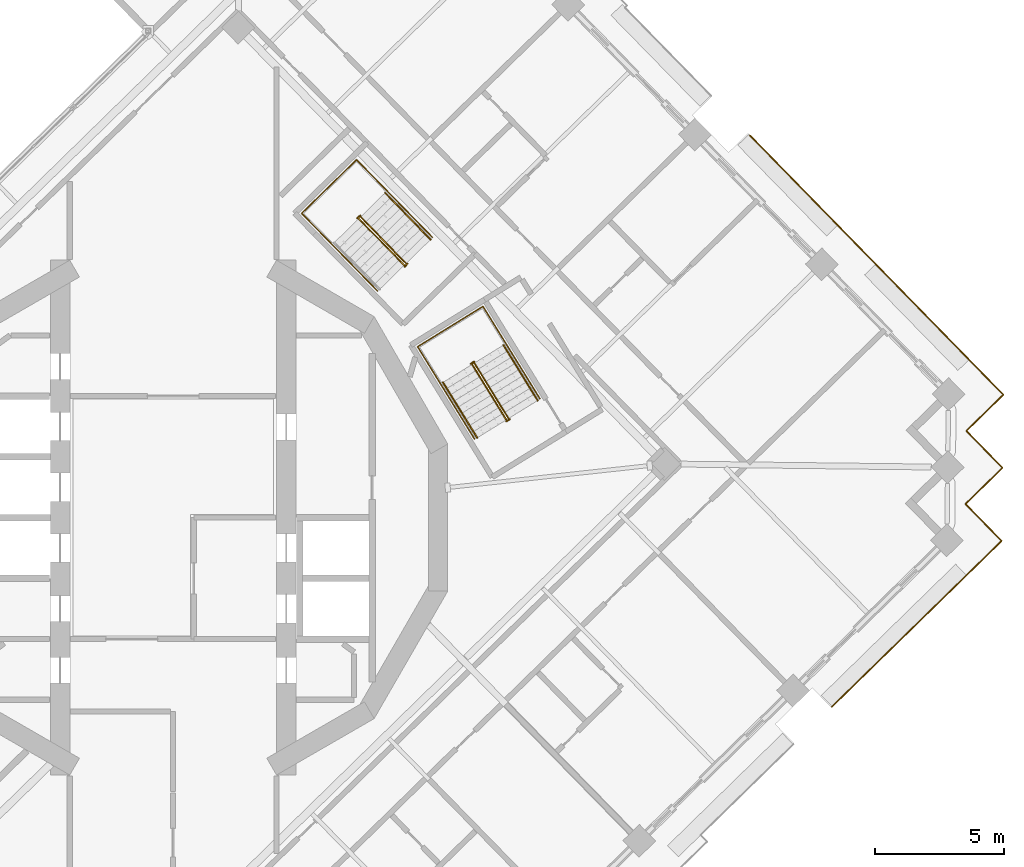
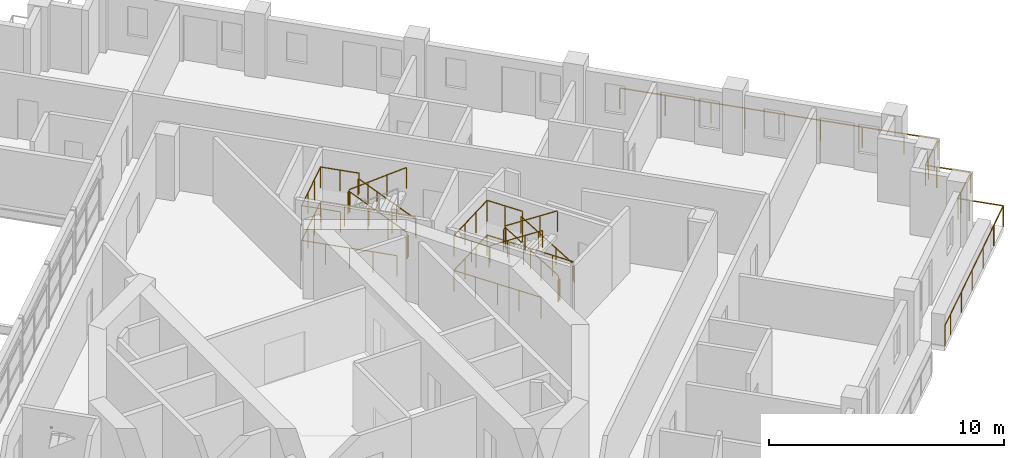
# One storey, part 17 of 19: 14 railings.
"""IFC4 building model written with IfcOpenShell, lengths in metres."""

import ifcopenshell
import ifcopenshell.guid

model = None  # the IFC model being written
_history = None  # IfcOwnerHistory: only IFC2X3 demands one
_inside = {}  # id of a spatial element -> (the spatial element, [elements in it])
_under = {}  # id of a project, library or spatial element -> (it, [spatial elements below it])
_declared = {}  # id of a project -> (the project, [libraries it declares])
_typed = {}  # id of a type object -> (the type object, [elements of that type])
_made_of = {}  # id of a material, layer set ... -> (it, [elements and type objects made of it])


def new_model(schema):
    """Start an empty IFC model of exactly this schema.

    Asked for "IFC4X3", IfcOpenShell would pick the latest addendum, in which some entities
    have other attributes; the version numbers below select the first issue.
    IFC2X3 requires an IfcOwnerHistory on every rooted entity: one is made here for all.
    """
    global model, _history
    if schema == "IFC4X3":
        model = ifcopenshell.file(schema_version=(4, 3, 0, 0))
    else:
        model = ifcopenshell.file(schema=schema)
    _inside.clear()
    _under.clear()
    _declared.clear()
    _typed.clear()
    _made_of.clear()
    _history = None
    if model.schema == "IFC2X3":
        org = make("IfcOrganization", Name="unknown")
        user = make(
            "IfcPersonAndOrganization",
            ThePerson=make("IfcPerson", FamilyName="unknown"),
            TheOrganization=org,
        )
        app = make(
            "IfcApplication",
            ApplicationDeveloper=org,
            Version="unknown",
            ApplicationFullName="unknown",
            ApplicationIdentifier="unknown",
        )
        _history = make(
            "IfcOwnerHistory",
            OwningUser=user,
            OwningApplication=app,
            ChangeAction="ADDED",
            CreationDate=0,
        )
    return model


def make(cls, **values):
    """One entity of the class cls with the attributes given. An attribute that is None is left unset."""
    return model.create_entity(
        cls, **{name: value for name, value in values.items() if value is not None}
    )


def rooted(cls, **values):
    """An entity with a GlobalId (a new one), such as an element, a storey or a relation."""
    return make(cls, GlobalId=ifcopenshell.guid.new(), OwnerHistory=_history, **values)


def si_unit(unit_type, name, prefix=None):
    """IfcSIUnit, for example si_unit("LENGTHUNIT", "METRE", prefix="MILLI")."""
    return make("IfcSIUnit", UnitType=unit_type, Prefix=prefix, Name=name)


def assignment(units):
    """IfcUnitAssignment: the units of a project."""
    return None if units is None else make("IfcUnitAssignment", Units=units)


def point(xyz):
    """IfcCartesianPoint."""
    return None if xyz is None else make("IfcCartesianPoint", Coordinates=xyz)


def direction(xyz):
    """IfcDirection."""
    return None if xyz is None else make("IfcDirection", DirectionRatios=xyz)


def frame(location, z_axis=None, x_axis=None):
    """IfcAxis2Placement3D, a coordinate frame: its origin and axes. An axis left out is left unset."""
    return make(
        "IfcAxis2Placement3D",
        Location=point(location),
        Axis=direction(z_axis),
        RefDirection=direction(x_axis),
    )


def frame_2d(location, x_axis=None):
    """IfcAxis2Placement2D, a coordinate frame in the plane: its origin and x axis."""
    return make(
        "IfcAxis2Placement2D", Location=point(location), RefDirection=direction(x_axis)
    )


def origin():
    """The frame at (0, 0, 0) with its axes left unset."""
    return frame((0.0, 0.0, 0.0))


def origin_2d():
    """The frame at (0, 0) in the plane with its x axis left unset."""
    return frame_2d((0.0, 0.0))


def place(relative_to, where):
    """IfcLocalPlacement: puts the frame where relative to a parent placement (None: the world)."""
    return make(
        "IfcLocalPlacement", PlacementRelTo=relative_to, RelativePlacement=where
    )


def context(
    kind, dimensions, precision=None, world=None, true_north=None, identifier=None
):
    """IfcGeometricRepresentationContext, for example the 3D "Model" context."""
    return make(
        "IfcGeometricRepresentationContext",
        ContextIdentifier=identifier,
        ContextType=kind,
        CoordinateSpaceDimension=dimensions,
        Precision=precision,
        WorldCoordinateSystem=world,
        TrueNorth=true_north,
    )


def subcontext(parent, identifier, kind, view, scale=None):
    """IfcGeometricRepresentationSubContext, for example "Body" below "Model"."""
    return make(
        "IfcGeometricRepresentationSubContext",
        ContextIdentifier=identifier,
        ContextType=kind,
        ParentContext=parent,
        TargetScale=scale,
        TargetView=view,
    )


def project(units=None, contexts=None):
    """IfcProject with its units and contexts."""
    return rooted(
        "IfcProject",
        Name="project",
        RepresentationContexts=contexts,
        UnitsInContext=assignment(units),
    )


def spatial(cls, under=None, at=None, **own):
    """A site, building, storey or space (cls), placed at a placement, below another one or the project."""
    s = rooted(cls, ObjectPlacement=at, **own)
    if under is not None:
        _under.setdefault(under.id(), (under, []))[1].append(s)
    return s


def profile(cls, at=None, kind="AREA", **sizes):
    """A parametric profile (cls). Its sizes go by their IFC names, for example OverallWidth=200.0."""
    return make(cls, ProfileType=kind, Position=at, **sizes)


def circle(**sizes):
    """IfcCircleProfileDef."""
    return profile("IfcCircleProfileDef", **sizes)


def extrude(swept, where, along, depth):
    """IfcExtrudedAreaSolid: the profile swept, set in the frame where, extruded along a direction by depth."""
    return make(
        "IfcExtrudedAreaSolid",
        SweptArea=swept,
        Position=where,
        ExtrudedDirection=direction(along),
        Depth=depth,
    )


def shape(context_of_items, identifier, shape_type, items):
    """IfcShapeRepresentation: the items that make up one representation, for example the "Body"."""
    return make(
        "IfcShapeRepresentation",
        ContextOfItems=context_of_items,
        RepresentationIdentifier=identifier,
        RepresentationType=shape_type,
        Items=items,
    )


def material(Name=None, Category=None):
    """IfcMaterial."""
    return make("IfcMaterial", Name=Name, Category=Category)


def made_of(thing, what):
    """Note that an element or type object is made of a material, layer set ...; save() writes the relation."""
    if what is not None:
        _made_of.setdefault(what.id(), (what, []))[1].append(thing)
    return thing


def type_object(cls, material=None, **own):
    """A type object (cls), such as IfcWallType, which elements share."""
    return made_of(rooted(cls, **own), material)


def element(
    cls,
    number,
    at=None,
    inside=None,
    cuts=None,
    type_object=None,
    material=None,
    context=None,
    identifier="Body",
    shape_type=None,
    held_by="IfcProductDefinitionShape",
    body=None,
    shapes=None,
    **own,
):
    """One element of the class cls, such as IfcWall. Its Tag is "e" and its number.

    at: its placement. inside: the storey or other place that contains it. cuts: it is an
    opening in that element (IfcRelVoidsElement). A single representation is given by context,
    identifier, shape_type and body (its items); several are given by shapes. held_by: the class
    of the entity that holds the representations. save() writes the other relations.
    """
    e = rooted(cls, Tag="e%d" % number, ObjectPlacement=at, **own)
    if body is not None:
        shapes = [shape(context, identifier, shape_type, body)]
    if shapes is not None:
        e.Representation = make(held_by, Representations=shapes)
    if inside is not None:
        _inside.setdefault(inside.id(), (inside, []))[1].append(e)
    if cuts is not None:
        rooted(
            "IfcRelVoidsElement", RelatingBuildingElement=cuts, RelatedOpeningElement=e
        )
    if type_object is not None:
        _typed.setdefault(type_object.id(), (type_object, []))[1].append(e)
    return made_of(e, material)


def aggregate(whole, parts):
    """IfcRelAggregates: a whole, such as a stair, and the parts it consists of."""
    return rooted("IfcRelAggregates", RelatingObject=whole, RelatedObjects=parts)


def save(model, path):
    """Write the relations noted so far, then the file.

    IfcRelAggregates (storeys below a building ...), IfcRelContainedInSpatialStructure (elements
    in a storey), IfcRelDefinesByType, IfcRelAssociatesMaterial and IfcRelDeclares: one each for
    every whole, place, type object, material and project.
    """
    for whole, parts in _under.values():
        aggregate(whole, parts)
    for where, things in _inside.values():
        rooted(
            "IfcRelContainedInSpatialStructure",
            RelatedElements=things,
            RelatingStructure=where,
        )
    for kind, things in _typed.values():
        rooted("IfcRelDefinesByType", RelatedObjects=things, RelatingType=kind)
    for what, things in _made_of.values():
        rooted("IfcRelAssociatesMaterial", RelatedObjects=things, RelatingMaterial=what)
    for by, libraries in _declared.values():
        rooted("IfcRelDeclares", RelatingContext=by, RelatedDefinitions=libraries)
    model.write(path)


model = new_model("IFC4")

# Units and contexts
model_context = context("Model", 3, precision=1e-05, world=origin(), true_north=direction((0.0, 1.0)))
body_context = subcontext(model_context, "Body", "Model", "MODEL_VIEW")
ifc_project = project(units=[si_unit("LENGTHUNIT", "METRE"), si_unit("AREAUNIT", "SQUARE_METRE"), si_unit("VOLUMEUNIT", "CUBIC_METRE"), si_unit("PLANEANGLEUNIT", "RADIAN"), si_unit("MASSUNIT", "GRAM", prefix="KILO")], contexts=[model_context])

# Site, building, storey
site_placement = place(None, origin())
site = spatial("IfcSite", under=ifc_project, at=site_placement, CompositionType="ELEMENT")
building_placement = place(site_placement, origin())
building = spatial("IfcBuilding", under=site, at=building_placement, Name="Cantera Rosa Tower", CompositionType="ELEMENT")
storey_placement = place(building_placement, frame((0.0, 0.0, 223.39990234375)))
storey = spatial("IfcBuildingStorey", under=building, at=storey_placement, Name="L48", CompositionType="ELEMENT", Elevation=223.39990234375)

# Railings
ifc_material_1 = material(Name="Stainless steel and laminated glass", Category="steel")
railing_type_1 = type_object("IfcRailingType", Name="GUARD 1100", PredefinedType="BALUSTRADE", material=ifc_material_1)
railing_1_placement = place(storey_placement, frame((22.313232421875, 14.795654296875, 0.0)))
element("IfcRailing", 1, at=railing_1_placement, inside=storey, type_object=railing_type_1, Name="GUARD L48-9", PredefinedType="BALUSTRADE", context=body_context, shape_type="SweptSolid", body=[
    extrude(circle(Radius=0.030029296875, at=origin_2d()), frame((0.0, 0.0, 1.070068359375), z_axis=(0.698829866575, -0.715287926351, 0.0), x_axis=(0.715287926351, 0.698829866575, 0.0)), (0.0, 0.0, 1.0), 4.02001953125),
    extrude(circle(Radius=0.030029296875, at=origin_2d()), frame((2.809326171875, -2.87548828125, 1.070068359375), z_axis=(0.698839281014, -0.715278728407, 0.0), x_axis=(0.715278728407, 0.698839281014, 0.0)), (0.0, 0.0, 1.0), 3.0),
    extrude(circle(Radius=0.030029296875, at=origin_2d()), frame((4.90576171875, -5.021240234375, 1.070068359375), z_axis=(0.698810055914, -0.715307280652, 0.0), x_axis=(0.715307280652, 0.698810055914, 0.0)), (0.0, 0.0, 1.0), 5.52001953125),
    extrude(circle(Radius=0.030029296875, at=origin_2d()), frame((8.76318359375, -8.9697265625, 1.070068359375), z_axis=(0.698921594874, -0.71519829713, 0.0), x_axis=(0.71519829713, 0.698921594874, 0.0)), (0.0, 0.0, 1.0), 1.5),
    extrude(circle(Radius=0.030029296875, at=origin_2d()), frame((9.8115234375, -10.04248046875, 1.070068359375), z_axis=(-0.715277793538, -0.698840237873, 0.0), x_axis=(0.698840237873, -0.715277793538, 0.0)), (0.0, 0.0, 1.0), 1.5),
    extrude(circle(Radius=0.030029296875, at=origin_2d()), frame((8.738525390625, -11.0908203125, 1.070068359375), z_axis=(-0.715359149995, -0.698756958118, 0.0), x_axis=(0.698756958118, -0.715359149995, 0.0)), (0.0, 0.0, 1.0), 0.5),
    extrude(circle(Radius=0.030029296875, at=origin_2d()), frame((8.380859375, -11.440185546875, 1.070068359375), z_axis=(0.699006712162, -0.715115107065, 0.0), x_axis=(0.715115107065, 0.699006712162, 0.0)), (0.0, 0.0, 1.0), 0.500244140625),
    extrude(circle(Radius=0.030029296875, at=origin_2d()), frame((8.73046875, -11.7978515625, 1.070068359375), z_axis=(0.698756958118, -0.715359149995, 0.0), x_axis=(0.715359149995, 0.698756958118, 0.0)), (0.0, 0.0, 1.0), 1.5),
    extrude(circle(Radius=0.030029296875, at=origin_2d()), frame((9.778564453125, -12.870849609375, 1.070068359375), z_axis=(-0.71519829713, -0.698921594874, 0.0), x_axis=(0.698921594874, -0.71519829713, 0.0)), (0.0, 0.0, 1.0), 1.5),
    extrude(circle(Radius=0.030029296875, at=origin_2d()), frame((8.705810546875, -13.919189453125, 1.070068359375), z_axis=(-0.715359149995, -0.698756958118, 0.0), x_axis=(0.698756958118, -0.715359149995, 0.0)), (0.0, 0.0, 1.0), 0.5),
    extrude(circle(Radius=0.030029296875, at=origin_2d()), frame((8.34814453125, -14.2685546875, 1.070068359375), z_axis=(0.698756958118, -0.715359149995, 0.0), x_axis=(0.715359149995, 0.698756958118, 0.0)), (0.0, 0.0, 1.0), 0.5),
    extrude(circle(Radius=0.030029296875, at=origin_2d()), frame((8.697509765625, -14.626220703125, 1.070068359375), z_axis=(0.698838323933, -0.71527966349, 0.0), x_axis=(0.71527966349, 0.698838323933, 0.0)), (0.0, 0.0, 1.0), 1.499755859375),
    extrude(circle(Radius=0.030029296875, at=origin_2d()), frame((9.74560546875, -15.698974609375, 1.070068359375), z_axis=(-0.71519829713, -0.698921594874, 0.0), x_axis=(0.698921594874, -0.71519829713, 0.0)), (0.0, 0.0, 1.0), 1.5),
    extrude(circle(Radius=0.030029296875, at=origin_2d()), frame((8.6728515625, -16.747314453125, 1.070068359375), z_axis=(-0.715292116391, -0.698825577829, 0.0), x_axis=(0.698825577829, -0.715292116391, 0.0)), (0.0, 0.0, 1.0), 6.820068359375),
    extrude(circle(Radius=0.030029296875, at=origin_2d()), frame((3.79443359375, -21.513427734375, 1.070068359375), z_axis=(-0.715337030636, -0.698779602308, 0.0), x_axis=(0.698779602308, -0.715337030636, 0.0)), (0.0, 0.0, 1.0), 0.869873046875),
    extrude(circle(Radius=0.02490234375, at=origin_2d()), origin(), (0.0, 0.0, 1.0), 1.0400390625),
    extrude(circle(Radius=0.02490234375, at=origin_2d()), frame((1.40478515625, -1.437744140625, 0.0)), (0.0, 0.0, 1.0), 1.0400390625),
    extrude(circle(Radius=0.02490234375, at=origin_2d()), frame((2.809326171875, -2.87548828125, 0.0)), (0.0, 0.0, 1.0), 1.0400390625),
    extrude(circle(Radius=0.02490234375, at=origin_2d()), frame((3.857421875, -3.9482421875, 0.0)), (0.0, 0.0, 1.0), 1.0400390625),
    extrude(circle(Radius=0.02490234375, at=origin_2d()), frame((4.90576171875, -5.021240234375, 0.0)), (0.0, 0.0, 1.0), 1.0400390625),
    extrude(circle(Radius=0.02490234375, at=origin_2d()), frame((6.191650390625, -6.33740234375, 0.0)), (0.0, 0.0, 1.0), 1.0400390625),
    extrude(circle(Radius=0.02490234375, at=origin_2d()), frame((7.477294921875, -7.653564453125, 0.0)), (0.0, 0.0, 1.0), 1.0400390625),
    extrude(circle(Radius=0.02490234375, at=origin_2d()), frame((8.76318359375, -8.9697265625, 0.0)), (0.0, 0.0, 1.0), 1.0400390625),
    extrude(circle(Radius=0.02490234375, at=origin_2d()), frame((9.8115234375, -10.04248046875, 0.0)), (0.0, 0.0, 1.0), 1.0400390625),
    extrude(circle(Radius=0.02490234375, at=origin_2d()), frame((8.738525390625, -11.0908203125, 0.0)), (0.0, 0.0, 1.0), 1.0400390625),
    extrude(circle(Radius=0.02490234375, at=origin_2d()), frame((8.380859375, -11.440185546875, 0.0)), (0.0, 0.0, 1.0), 1.0400390625),
    extrude(circle(Radius=0.02490234375, at=origin_2d()), frame((8.73046875, -11.7978515625, 0.0)), (0.0, 0.0, 1.0), 1.0400390625),
    extrude(circle(Radius=0.02490234375, at=origin_2d()), frame((9.778564453125, -12.870849609375, 0.0)), (0.0, 0.0, 1.0), 1.0400390625),
    extrude(circle(Radius=0.02490234375, at=origin_2d()), frame((8.705810546875, -13.919189453125, 0.0)), (0.0, 0.0, 1.0), 1.0400390625),
    extrude(circle(Radius=0.02490234375, at=origin_2d()), frame((8.34814453125, -14.2685546875, 0.0)), (0.0, 0.0, 1.0), 1.0400390625),
    extrude(circle(Radius=0.02490234375, at=origin_2d()), frame((8.697509765625, -14.626220703125, 0.0)), (0.0, 0.0, 1.0), 1.0400390625),
    extrude(circle(Radius=0.02490234375, at=origin_2d()), frame((9.74560546875, -15.698974609375, 0.0)), (0.0, 0.0, 1.0), 1.0400390625),
    extrude(circle(Radius=0.02490234375, at=origin_2d()), frame((8.6728515625, -16.747314453125, 0.0)), (0.0, 0.0, 1.0), 1.0400390625),
    extrude(circle(Radius=0.02490234375, at=origin_2d()), frame((7.453125, -17.93896484375, 0.0)), (0.0, 0.0, 1.0), 1.0400390625),
    extrude(circle(Radius=0.02490234375, at=origin_2d()), frame((6.233642578125, -19.13037109375, 0.0)), (0.0, 0.0, 1.0), 1.0400390625),
    extrude(circle(Radius=0.02490234375, at=origin_2d()), frame((5.01416015625, -20.32177734375, 0.0)), (0.0, 0.0, 1.0), 1.0400390625),
    extrude(circle(Radius=0.02490234375, at=origin_2d()), frame((3.79443359375, -21.513427734375, 0.0)), (0.0, 0.0, 1.0), 1.0400390625),
    extrude(circle(Radius=0.02490234375, at=origin_2d()), frame((3.172119140625, -22.121337890625, 0.0)), (0.0, 0.0, 1.0), 1.0400390625),
])
ifc_material_2 = material(Name="Steel S355J2 (EN 10025-2)", Category="steel")
railing_type_2 = type_object("IfcRailingType", Name="STAIR GUARD 1100", PredefinedType="GUARDRAIL", material=ifc_material_2)
railing_2_placement = place(storey_placement, frame((12.9765625, 3.834228515625, 0.18017578125)))
element("IfcRailing", 2, at=railing_2_placement, inside=storey, type_object=railing_type_2, Name="L48 ST-41 stair guard 1", PredefinedType="GUARDRAIL", context=body_context, shape_type="SweptSolid", body=[
    extrude(circle(Radius=0.02392578125, at=origin_2d()), frame((0.0, 0.0, 1.076171875), z_axis=(-0.441562923896, 0.715970890813, 0.540747508315), x_axis=(-0.851145618652, -0.524929648476, 0.0)), (0.0, 0.0, 1.0), 2.99560546875),
    extrude(circle(Radius=0.02392578125, at=origin_2d()), frame((-1.32275390625, 2.144775390625, 2.69580078125), z_axis=(-0.073711968402, 0.997279572494, 0.0), x_axis=(-0.997279572494, -0.073711968402, 0.0)), (0.0, 0.0, 1.0), 0.056396484375),
    extrude(circle(Radius=0.02392578125, at=origin_2d()), frame((-1.326904296875, 2.200927734375, 2.69580078125), z_axis=(-0.851546489876, -0.524279100842, 0.0), x_axis=(0.524279100842, -0.851546489876, 0.0)), (0.0, 0.0, 1.0), 0.14990234375),
    extrude(circle(Radius=0.02099609375, at=origin_2d()), origin(), (0.0, 0.0, 1.0), 1.052001953125),
    extrude(circle(Radius=0.02099609375, at=origin_2d()), frame((-0.44091796875, 0.71484375, 0.5400390625)), (0.0, 0.0, 1.0), 1.052001953125),
    extrude(circle(Radius=0.02099609375, at=origin_2d()), frame((-0.8818359375, 1.429931640625, 1.079833984375)), (0.0, 0.0, 1.0), 1.052001953125),
    extrude(circle(Radius=0.02099609375, at=origin_2d()), frame((-1.32275390625, 2.144775390625, 1.619873046875)), (0.0, 0.0, 1.0), 1.052001953125),
    extrude(circle(Radius=0.02099609375, at=origin_2d()), frame((-1.326904296875, 2.200927734375, 1.619873046875)), (0.0, 0.0, 1.0), 1.052001953125),
    extrude(circle(Radius=0.02099609375, at=origin_2d()), frame((-1.45458984375, 2.122314453125, 1.619873046875)), (0.0, 0.0, 1.0), 1.052001953125),
])
railing_3_placement = place(storey_placement, frame((11.5703125, 5.927490234375, 1.97998046875)))
element("IfcRailing", 3, at=railing_3_placement, inside=storey, type_object=railing_type_2, Name="L48 ST-41 stair guard 2", PredefinedType="GUARDRAIL", context=body_context, shape_type="SweptSolid", body=[
    extrude(circle(Radius=0.02392578125, at=origin_2d()), frame((0.0, 0.0, 1.076171875), z_axis=(0.441609067481, -0.715913574058, 0.540785711718), x_axis=(0.851102330005, 0.524999832248, 0.0)), (0.0, 0.0, 1.0), 2.995849609375),
    extrude(circle(Radius=0.02099609375, at=origin_2d()), origin(), (0.0, 0.0, 1.0), 1.052001953125),
    extrude(circle(Radius=0.02099609375, at=origin_2d()), frame((0.44091796875, -0.71484375, 0.5400390625)), (0.0, 0.0, 1.0), 1.052001953125),
    extrude(circle(Radius=0.02099609375, at=origin_2d()), frame((0.882080078125, -1.429931640625, 1.080078125)), (0.0, 0.0, 1.0), 1.052001953125),
    extrude(circle(Radius=0.02099609375, at=origin_2d()), frame((1.322998046875, -2.144775390625, 1.6201171875)), (0.0, 0.0, 1.0), 1.052001953125),
])
railing_4_placement = place(storey_placement, frame((13.025146484375, 3.80517578125, 0.0)))
element("IfcRailing", 4, at=railing_4_placement, inside=storey, type_object=railing_type_2, Name="L48 ST-41 stair guard 3", PredefinedType="GUARDRAIL", context=body_context, shape_type="SweptSolid", body=[
    extrude(circle(Radius=0.02392578125, at=origin_2d()), frame((0.0, 0.0, 1.076171875), z_axis=(-0.851546489876, -0.524279100842, 0.0), x_axis=(0.524279100842, -0.851546489876, 0.0)), (0.0, 0.0, 1.0), 0.14990234375),
    extrude(circle(Radius=0.02099609375, at=origin_2d()), origin(), (0.0, 0.0, 1.0), 1.052001953125),
    extrude(circle(Radius=0.02099609375, at=origin_2d()), frame((-0.127685546875, -0.07861328125, 0.0)), (0.0, 0.0, 1.0), 1.052001953125),
])
railing_5_placement = place(storey_placement, frame((14.192626953125, 4.59814453125, 0.0)))
element("IfcRailing", 5, at=railing_5_placement, inside=storey, type_object=railing_type_2, Name="L48 ST-41 stair guard 4", PredefinedType="GUARDRAIL", context=body_context, shape_type="SweptSolid", body=[
    extrude(circle(Radius=0.02392578125, at=origin_2d()), frame((0.0, 0.0, 1.076171875), z_axis=(-0.524976478809, 0.851116735059, 0.0), x_axis=(-0.851116735059, -0.524976478809, 0.0)), (0.0, 0.0, 1.0), 4.197998046875),
    extrude(circle(Radius=0.02392578125, at=origin_2d()), frame((-2.203857421875, 3.572998046875, 1.076171875), z_axis=(-0.851132917336, -0.524950242429, 0.0), x_axis=(0.524950242429, -0.851132917336, 0.0)), (0.0, 0.0, 1.0), 2.969970703125),
    extrude(circle(Radius=0.02392578125, at=origin_2d()), frame((-4.731689453125, 2.013916015625, 1.076171875), z_axis=(0.524976478809, -0.851116735059, 0.0), x_axis=(0.851116735059, 0.524976478809, 0.0)), (0.0, 0.0, 1.0), 4.197998046875),
    extrude(circle(Radius=0.02099609375, at=origin_2d()), origin(), (0.0, 0.0, 1.0), 1.052001953125),
    extrude(circle(Radius=0.02099609375, at=origin_2d()), frame((-0.551025390625, 0.893310546875, 0.0)), (0.0, 0.0, 1.0), 1.052001953125),
    extrude(circle(Radius=0.02099609375, at=origin_2d()), frame((-1.10205078125, 1.78662109375, 0.0)), (0.0, 0.0, 1.0), 1.052001953125),
    extrude(circle(Radius=0.02099609375, at=origin_2d()), frame((-1.65283203125, 2.6796875, 0.0)), (0.0, 0.0, 1.0), 1.052001953125),
    extrude(circle(Radius=0.02099609375, at=origin_2d()), frame((-2.203857421875, 3.572998046875, 0.0)), (0.0, 0.0, 1.0), 1.052001953125),
    extrude(circle(Radius=0.02099609375, at=origin_2d()), frame((-3.04638671875, 3.05322265625, 0.0)), (0.0, 0.0, 1.0), 1.052001953125),
    extrude(circle(Radius=0.02099609375, at=origin_2d()), frame((-3.88916015625, 2.53369140625, 0.0)), (0.0, 0.0, 1.0), 1.052001953125),
    extrude(circle(Radius=0.02099609375, at=origin_2d()), frame((-4.731689453125, 2.013916015625, 0.0)), (0.0, 0.0, 1.0), 1.052001953125),
    extrude(circle(Radius=0.02099609375, at=origin_2d()), frame((-4.1806640625, 1.12060546875, 0.0)), (0.0, 0.0, 1.0), 1.052001953125),
    extrude(circle(Radius=0.02099609375, at=origin_2d()), frame((-3.6298828125, 0.2275390625, 0.0)), (0.0, 0.0, 1.0), 1.052001953125),
    extrude(circle(Radius=0.02099609375, at=origin_2d()), frame((-3.078857421875, -0.665771484375, 0.0)), (0.0, 0.0, 1.0), 1.052001953125),
    extrude(circle(Radius=0.02099609375, at=origin_2d()), frame((-2.52783203125, -1.55908203125, 0.0)), (0.0, 0.0, 1.0), 1.052001953125),
])
railing_6_placement = place(storey_placement, frame((12.88232421875, 6.72265625, 1.800048828125)))
element("IfcRailing", 6, at=railing_6_placement, inside=storey, type_object=railing_type_2, Name="L48 ST-41 stair guard 5", PredefinedType="GUARDRAIL", context=body_context, shape_type="SweptSolid", body=[
    extrude(circle(Radius=0.02392578125, at=origin_2d()), frame((0.0, 0.0, 1.076171875), z_axis=(-0.525025534833, 0.851086474909, 0.0), x_axis=(-0.851086474909, -0.525025534833, 0.0)), (0.0, 0.0, 1.0), 1.701904296875),
    extrude(circle(Radius=0.02392578125, at=origin_2d()), frame((-0.8935546875, 1.448486328125, 1.076171875), z_axis=(-0.851132917336, -0.524950242429, 0.0), x_axis=(0.524950242429, -0.851132917336, 0.0)), (0.0, 0.0, 1.0), 2.969970703125),
    extrude(circle(Radius=0.02392578125, at=origin_2d()), frame((-3.42138671875, -0.110595703125, 1.076171875), z_axis=(0.524961441845, -0.851126009811, 0.0), x_axis=(0.851126009811, 0.524961441845, 0.0)), (0.0, 0.0, 1.0), 1.7021484375),
    extrude(circle(Radius=0.02099609375, at=origin_2d()), origin(), (0.0, 0.0, 1.0), 1.052001953125),
    extrude(circle(Radius=0.02099609375, at=origin_2d()), frame((-0.44677734375, 0.72412109375, 0.0)), (0.0, 0.0, 1.0), 1.052001953125),
    extrude(circle(Radius=0.02099609375, at=origin_2d()), frame((-0.8935546875, 1.448486328125, 0.0)), (0.0, 0.0, 1.0), 1.052001953125),
    extrude(circle(Radius=0.02099609375, at=origin_2d()), frame((-1.736083984375, 0.9287109375, 0.0)), (0.0, 0.0, 1.0), 1.052001953125),
    extrude(circle(Radius=0.02099609375, at=origin_2d()), frame((-2.578857421875, 0.4091796875, 0.0)), (0.0, 0.0, 1.0), 1.052001953125),
    extrude(circle(Radius=0.02099609375, at=origin_2d()), frame((-3.42138671875, -0.110595703125, 0.0)), (0.0, 0.0, 1.0), 1.052001953125),
    extrude(circle(Radius=0.02099609375, at=origin_2d()), frame((-2.974609375, -0.8349609375, 0.0)), (0.0, 0.0, 1.0), 1.052001953125),
    extrude(circle(Radius=0.02099609375, at=origin_2d()), frame((-2.52783203125, -1.559326171875, 0.0)), (0.0, 0.0, 1.0), 1.052001953125),
])
railing_7_placement = place(storey_placement, frame((9.013427734375, 9.832763671875, 0.18017578125)))
element("IfcRailing", 7, at=railing_7_placement, inside=storey, type_object=railing_type_2, Name="L48 ST-42 stair guard 1", PredefinedType="GUARDRAIL", context=body_context, shape_type="SweptSolid", body=[
    extrude(circle(Radius=0.02392578125, at=origin_2d()), frame((0.0, 0.0, 1.076171875), z_axis=(-0.587844099419, 0.60169873645, 0.540738333515), x_axis=(-0.715293958342, -0.698823692472, 0.0)), (0.0, 0.0, 1.0), 2.99560546875),
    extrude(circle(Radius=0.02392578125, at=origin_2d()), frame((-1.760986328125, 1.802490234375, 2.69580078125), z_axis=(-0.290127576896, 0.956987977523, 0.0), x_axis=(-0.956987977523, -0.290127576896, 0.0)), (0.0, 0.0, 1.0), 0.056396484375),
    extrude(circle(Radius=0.02392578125, at=origin_2d()), frame((-1.77734375, 1.8564453125, 2.69580078125), z_axis=(-0.71600013962, -0.69810013613, 0.0), x_axis=(0.69810013613, -0.71600013962, 0.0)), (0.0, 0.0, 1.0), 0.150146484375),
    extrude(circle(Radius=0.02099609375, at=origin_2d()), origin(), (0.0, 0.0, 1.0), 1.052001953125),
    extrude(circle(Radius=0.02099609375, at=origin_2d()), frame((-0.5869140625, 0.600830078125, 0.5400390625)), (0.0, 0.0, 1.0), 1.052001953125),
    extrude(circle(Radius=0.02099609375, at=origin_2d()), frame((-1.174072265625, 1.20166015625, 1.079833984375)), (0.0, 0.0, 1.0), 1.052001953125),
    extrude(circle(Radius=0.02099609375, at=origin_2d()), frame((-1.760986328125, 1.802490234375, 1.619873046875)), (0.0, 0.0, 1.0), 1.052001953125),
    extrude(circle(Radius=0.02099609375, at=origin_2d()), frame((-1.77734375, 1.8564453125, 1.619873046875)), (0.0, 0.0, 1.0), 1.052001953125),
    extrude(circle(Radius=0.02099609375, at=origin_2d()), frame((-1.884765625, 1.751708984375, 1.619873046875)), (0.0, 0.0, 1.0), 1.052001953125),
])
railing_8_placement = place(storey_placement, frame((7.182373046875, 11.56689453125, 1.97998046875)))
element("IfcRailing", 8, at=railing_8_placement, inside=storey, type_object=railing_type_2, Name="L48 ST-42 stair guard 2", PredefinedType="GUARDRAIL", context=body_context, shape_type="SweptSolid", body=[
    extrude(circle(Radius=0.02392578125, at=origin_2d()), frame((0.0, 0.0, 1.076171875), z_axis=(0.587818193466, -0.601672219931, 0.54079599776), x_axis=(0.715293958342, 0.698823692472, 0.0)), (0.0, 0.0, 1.0), 2.995849609375),
    extrude(circle(Radius=0.02099609375, at=origin_2d()), origin(), (0.0, 0.0, 1.0), 1.052001953125),
    extrude(circle(Radius=0.02099609375, at=origin_2d()), frame((0.5869140625, -0.600830078125, 0.5400390625)), (0.0, 0.0, 1.0), 1.052001953125),
    extrude(circle(Radius=0.02099609375, at=origin_2d()), frame((1.174072265625, -1.20166015625, 1.080078125)), (0.0, 0.0, 1.0), 1.052001953125),
    extrude(circle(Radius=0.02099609375, at=origin_2d()), frame((1.760986328125, -1.802490234375, 1.6201171875)), (0.0, 0.0, 1.0), 1.052001953125),
])
railing_9_placement = place(storey_placement, frame((9.06689453125, 9.815185546875, 0.0)))
element("IfcRailing", 9, at=railing_9_placement, inside=storey, type_object=railing_type_2, Name="L48 ST-42 stair guard 3", PredefinedType="GUARDRAIL", context=body_context, shape_type="SweptSolid", body=[
    extrude(circle(Radius=0.02392578125, at=origin_2d()), frame((0.0, 0.0, 1.076171875), z_axis=(-0.715205710557, -0.698914008722, 0.0), x_axis=(0.698914008722, -0.715205710557, 0.0)), (0.0, 0.0, 1.0), 0.14990234375),
    extrude(circle(Radius=0.02099609375, at=origin_2d()), origin(), (0.0, 0.0, 1.0), 1.052001953125),
    extrude(circle(Radius=0.02099609375, at=origin_2d()), frame((-0.107177734375, -0.104736328125, 0.0)), (0.0, 0.0, 1.0), 1.052001953125),
])
railing_10_placement = place(storey_placement, frame((10.0322265625, 10.844970703125, 0.0)))
element("IfcRailing", 10, at=railing_10_placement, inside=storey, type_object=railing_type_2, Name="L48 ST-42 stair guard 4", PredefinedType="GUARDRAIL", context=body_context, shape_type="SweptSolid", body=[
    extrude(circle(Radius=0.02392578125, at=origin_2d()), frame((0.0, 0.0, 1.076171875), z_axis=(-0.698859254364, 0.715259213566, 0.0), x_axis=(-0.715259213566, -0.698859254364, 0.0)), (0.0, 0.0, 1.0), 4.197998046875),
    extrude(circle(Radius=0.02392578125, at=origin_2d()), frame((-2.933837890625, 3.002685546875, 1.076171875), z_axis=(-0.715279654138, -0.698838333505, 0.0), x_axis=(0.698838333505, -0.715279654138, 0.0)), (0.0, 0.0, 1.0), 2.9697265625),
    extrude(circle(Radius=0.02392578125, at=origin_2d()), frame((-5.05810546875, 0.92724609375, 1.076171875), z_axis=(0.698829500247, -0.715288284249, 0.0), x_axis=(0.715288284249, 0.698829500247, 0.0)), (0.0, 0.0, 1.0), 4.19775390625),
    extrude(circle(Radius=0.02099609375, at=origin_2d()), origin(), (0.0, 0.0, 1.0), 1.052001953125),
    extrude(circle(Radius=0.02099609375, at=origin_2d()), frame((-0.7333984375, 0.750732421875, 0.0)), (0.0, 0.0, 1.0), 1.052001953125),
    extrude(circle(Radius=0.02099609375, at=origin_2d()), frame((-1.466796875, 1.50146484375, 0.0)), (0.0, 0.0, 1.0), 1.052001953125),
    extrude(circle(Radius=0.02099609375, at=origin_2d()), frame((-2.200439453125, 2.251953125, 0.0)), (0.0, 0.0, 1.0), 1.052001953125),
    extrude(circle(Radius=0.02099609375, at=origin_2d()), frame((-2.933837890625, 3.002685546875, 0.0)), (0.0, 0.0, 1.0), 1.052001953125),
    extrude(circle(Radius=0.02099609375, at=origin_2d()), frame((-3.641845703125, 2.310791015625, 0.0)), (0.0, 0.0, 1.0), 1.052001953125),
    extrude(circle(Radius=0.02099609375, at=origin_2d()), frame((-4.35009765625, 1.619140625, 0.0)), (0.0, 0.0, 1.0), 1.052001953125),
    extrude(circle(Radius=0.02099609375, at=origin_2d()), frame((-5.05810546875, 0.92724609375, 0.0)), (0.0, 0.0, 1.0), 1.052001953125),
    extrude(circle(Radius=0.02099609375, at=origin_2d()), frame((-4.32470703125, 0.176513671875, 0.0)), (0.0, 0.0, 1.0), 1.052001953125),
    extrude(circle(Radius=0.02099609375, at=origin_2d()), frame((-3.59130859375, -0.57421875, 0.0)), (0.0, 0.0, 1.0), 1.052001953125),
    extrude(circle(Radius=0.02099609375, at=origin_2d()), frame((-2.85791015625, -1.32470703125, 0.0)), (0.0, 0.0, 1.0), 1.052001953125),
    extrude(circle(Radius=0.02099609375, at=origin_2d()), frame((-2.12451171875, -2.075439453125, 0.0)), (0.0, 0.0, 1.0), 1.052001953125),
])
railing_11_placement = place(storey_placement, frame((8.287841796875, 12.63037109375, 1.800048828125)))
element("IfcRailing", 11, at=railing_11_placement, inside=storey, type_object=railing_type_2, Name="L48 ST-42 stair guard 5", PredefinedType="GUARDRAIL", context=body_context, shape_type="SweptSolid", body=[
    extrude(circle(Radius=0.02392578125, at=origin_2d()), frame((0.0, 0.0, 1.076171875), z_axis=(-0.698882919007, 0.715236090757, 0.0), x_axis=(-0.715236090757, -0.698882919007, 0.0)), (0.0, 0.0, 1.0), 1.701904296875),
    extrude(circle(Radius=0.02392578125, at=origin_2d()), frame((-1.189453125, 1.21728515625, 1.076171875), z_axis=(-0.715279654138, -0.698838333505, 0.0), x_axis=(0.698838333505, -0.715279654138, 0.0)), (0.0, 0.0, 1.0), 2.9697265625),
    extrude(circle(Radius=0.02392578125, at=origin_2d()), frame((-3.313720703125, -0.858154296875, 1.076171875), z_axis=(0.698811217595, -0.715306145761, 0.0), x_axis=(0.715306145761, 0.698811217595, 0.0)), (0.0, 0.0, 1.0), 1.7021484375),
    extrude(circle(Radius=0.02099609375, at=origin_2d()), origin(), (0.0, 0.0, 1.0), 1.052001953125),
    extrude(circle(Radius=0.02099609375, at=origin_2d()), frame((-0.5947265625, 0.608642578125, 0.0)), (0.0, 0.0, 1.0), 1.052001953125),
    extrude(circle(Radius=0.02099609375, at=origin_2d()), frame((-1.189453125, 1.21728515625, 0.0)), (0.0, 0.0, 1.0), 1.052001953125),
    extrude(circle(Radius=0.02099609375, at=origin_2d()), frame((-1.8974609375, 0.525390625, 0.0)), (0.0, 0.0, 1.0), 1.052001953125),
    extrude(circle(Radius=0.02099609375, at=origin_2d()), frame((-2.605712890625, -0.166259765625, 0.0)), (0.0, 0.0, 1.0), 1.052001953125),
    extrude(circle(Radius=0.02099609375, at=origin_2d()), frame((-3.313720703125, -0.858154296875, 0.0)), (0.0, 0.0, 1.0), 1.052001953125),
    extrude(circle(Radius=0.02099609375, at=origin_2d()), frame((-2.718994140625, -1.466796875, 0.0)), (0.0, 0.0, 1.0), 1.052001953125),
    extrude(circle(Radius=0.02099609375, at=origin_2d()), frame((-2.124267578125, -2.07568359375, 0.0)), (0.0, 0.0, 1.0), 1.052001953125),
])
ifc_material_3 = material(Name="Steel S355J2 (EN 10025-2)", Category="steel")
railing_type_3 = type_object("IfcRailingType", Name="STAIR HANDRAIL 900", PredefinedType="HANDRAIL", material=ifc_material_3)
railing_12_placement = place(storey_placement, frame((14.105224609375, 4.5302734375, 0.18017578125)))
element("IfcRailing", 12, at=railing_12_placement, inside=storey, type_object=railing_type_3, Name="L48 ST-41 stair handrail 1", PredefinedType="HANDRAIL", context=body_context, shape_type="SweptSolid", body=[
    extrude(circle(Radius=0.02392578125, at=origin_2d()), frame((0.0, 0.0, 0.8759765625), z_axis=(-0.441628529057, 0.715945124149, 0.540728047664), x_axis=(-0.851102330005, -0.524999832248, 0.0)), (0.0, 0.0, 1.0), 2.99560546875),
    extrude(circle(Radius=0.02099609375, at=origin_2d()), origin(), (0.0, 0.0, 1.0), 0.851806640625),
    extrude(circle(Radius=0.02099609375, at=origin_2d()), frame((-0.44091796875, 0.71484375, 0.5400390625)), (0.0, 0.0, 1.0), 0.851806640625),
    extrude(circle(Radius=0.02099609375, at=origin_2d()), frame((-0.882080078125, 1.429931640625, 1.079833984375)), (0.0, 0.0, 1.0), 0.851806640625),
    extrude(circle(Radius=0.02099609375, at=origin_2d()), frame((-1.322998046875, 2.144775390625, 1.619873046875)), (0.0, 0.0, 1.0), 0.851806640625),
])
railing_13_placement = place(storey_placement, frame((10.441650390625, 5.2314453125, 1.97998046875)))
element("IfcRailing", 13, at=railing_13_placement, inside=storey, type_object=railing_type_3, Name="L48 ST-41 stair handrail 2", PredefinedType="HANDRAIL", context=body_context, shape_type="SweptSolid", body=[
    extrude(circle(Radius=0.02392578125, at=origin_2d()), frame((0.0, 0.0, 0.8759765625), z_axis=(0.441609067481, -0.715913574058, 0.540785711718), x_axis=(0.851102330005, 0.524999832248, 0.0)), (0.0, 0.0, 1.0), 2.995849609375),
    extrude(circle(Radius=0.02099609375, at=origin_2d()), origin(), (0.0, 0.0, 1.0), 0.851806640625),
    extrude(circle(Radius=0.02099609375, at=origin_2d()), frame((0.44091796875, -0.71484375, 0.5400390625)), (0.0, 0.0, 1.0), 0.851806640625),
    extrude(circle(Radius=0.02099609375, at=origin_2d()), frame((0.882080078125, -1.429931640625, 1.080078125)), (0.0, 0.0, 1.0), 0.851806640625),
    extrude(circle(Radius=0.02099609375, at=origin_2d()), frame((1.322998046875, -2.144775390625, 1.6201171875)), (0.0, 0.0, 1.0), 0.851806640625),
])
railing_14_placement = place(storey_placement, frame((9.9619140625, 10.759521484375, 0.18017578125)))
element("IfcRailing", 14, at=railing_14_placement, inside=storey, type_object=railing_type_3, Name="L48 ST-42 stair handrail 1", PredefinedType="HANDRAIL", context=body_context, shape_type="SweptSolid", body=[
    extrude(circle(Radius=0.02392578125, at=origin_2d()), frame((0.0, 0.0, 0.8759765625), z_axis=(-0.587844099419, 0.60169873645, 0.540738333515), x_axis=(-0.715293958342, -0.698823692472, 0.0)), (0.0, 0.0, 1.0), 2.99560546875),
    extrude(circle(Radius=0.02099609375, at=origin_2d()), origin(), (0.0, 0.0, 1.0), 0.851806640625),
    extrude(circle(Radius=0.02099609375, at=origin_2d()), frame((-0.5869140625, 0.600830078125, 0.5400390625)), (0.0, 0.0, 1.0), 0.851806640625),
    extrude(circle(Radius=0.02099609375, at=origin_2d()), frame((-1.174072265625, 1.20166015625, 1.079833984375)), (0.0, 0.0, 1.0), 0.851806640625),
    extrude(circle(Radius=0.02099609375, at=origin_2d()), frame((-1.760986328125, 1.802490234375, 1.619873046875)), (0.0, 0.0, 1.0), 0.851806640625),
])

save(model, "model.ifc")
